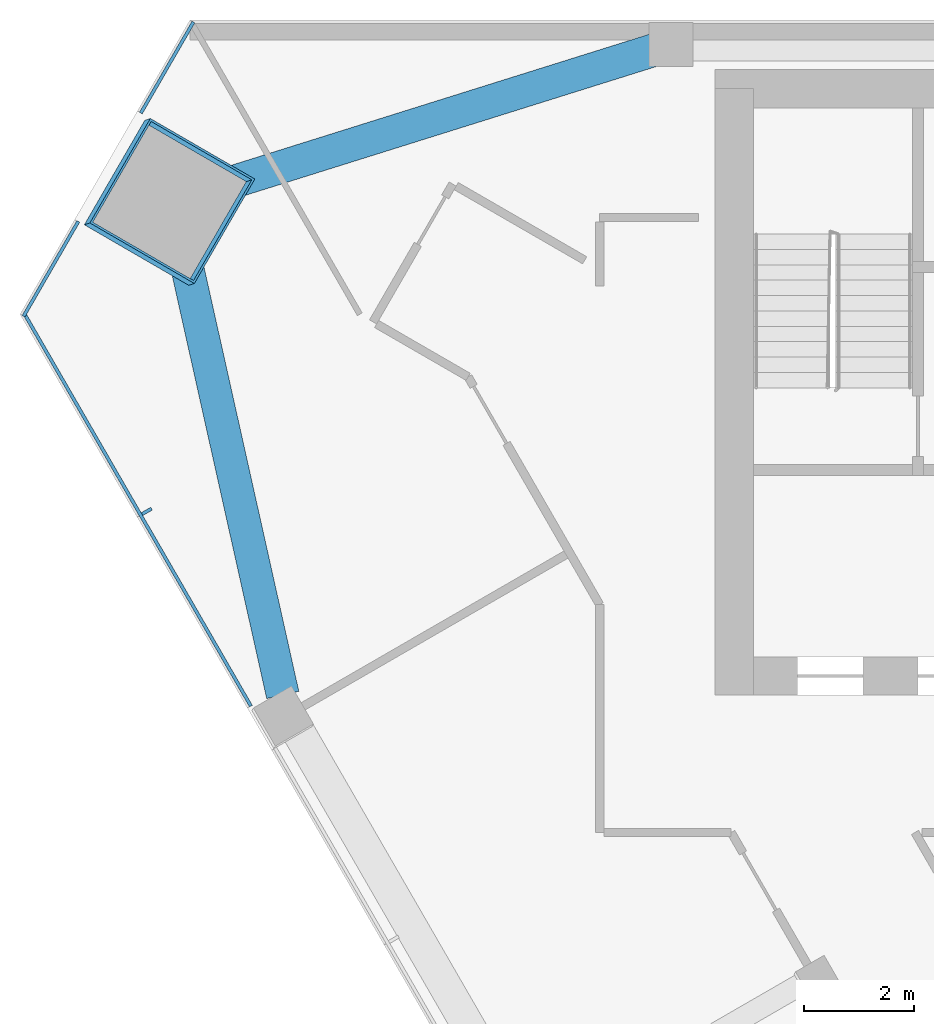
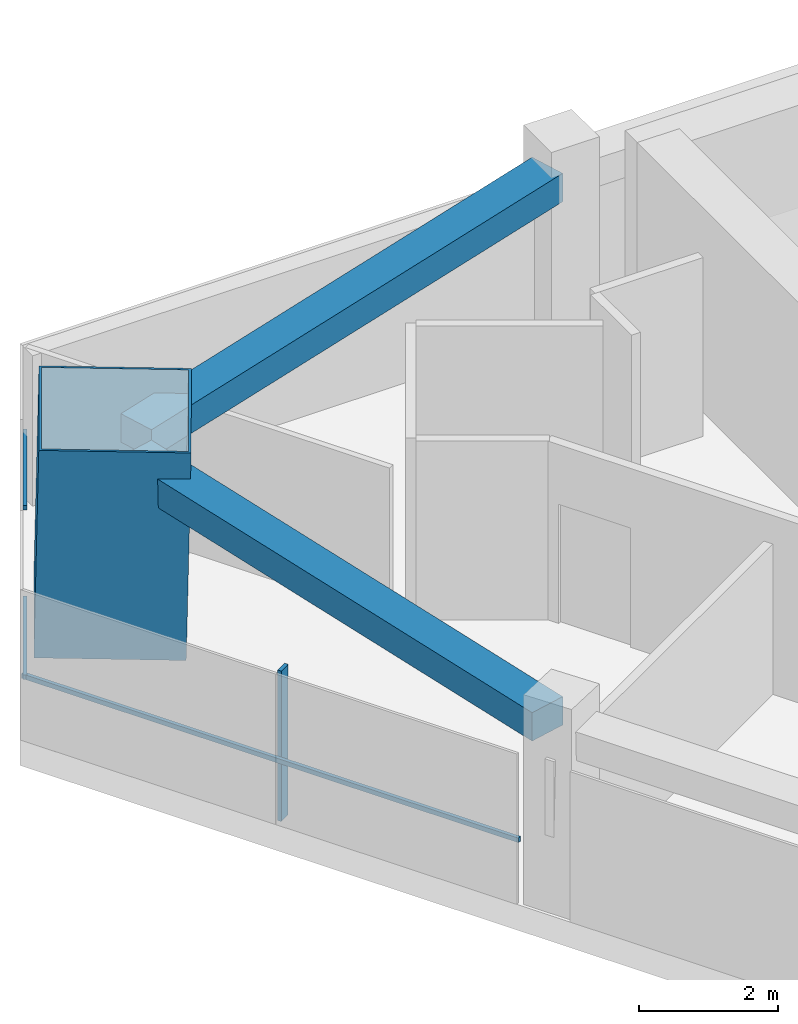
# One storey, part 5 of 12: 5 members, 2 beams, 2 elements without a shape of their own.
"""IFC4 building model written with IfcOpenShell, lengths in metres."""

from ifc_helpers import new_model, si_unit, direction, frame, origin, origin_2d, place, context, subcontext, project, spatial, rectangle, hollow_rectangle, extrude, material, layer, layer_set, material_profile, profile_set, type_object, element, aggregate, save


model = new_model("IFC4")

# Units and contexts
model_context = context("Model", 3, precision=1e-05, world=origin(), true_north=direction((0.0, 1.0)))
body_context = subcontext(model_context, "Body", "Model", "MODEL_VIEW")
ifc_project = project(units=[si_unit("LENGTHUNIT", "METRE"), si_unit("AREAUNIT", "SQUARE_METRE"), si_unit("VOLUMEUNIT", "CUBIC_METRE"), si_unit("PLANEANGLEUNIT", "RADIAN"), si_unit("MASSUNIT", "GRAM", prefix="KILO")], contexts=[model_context])

# Site, building, storey
site_placement = place(None, origin())
site = spatial("IfcSite", under=ifc_project, at=site_placement, CompositionType="ELEMENT")
building_placement = place(site_placement, origin())
building = spatial("IfcBuilding", under=site, at=building_placement, Name="Altiplano Prism Tower", CompositionType="ELEMENT")
storey_placement = place(building_placement, frame((0.0, 0.0, 205.199951171875)))
storey = spatial("IfcBuildingStorey", under=building, at=storey_placement, Name="L53", CompositionType="ELEMENT", Elevation=205.199951171875)

# Curtain wall, member
ifc_material_1 = material(Name="Aluminium and glass", Category="aluminium")
ifc_layer = layer(ifc_material_1, 0.303955078125)
ifc_layer_set = layer_set([ifc_layer], Name="Aluminium and glass")
curtain_wall_type = type_object("IfcCurtainWallType", Name="CW2 lounge-band unitised glazing", PredefinedType="NOTDEFINED", material=ifc_layer_set)
curtain_wall_1_placement = place(storey_placement, origin())
curtain_wall_1 = element("IfcCurtainWall", 1, at=curtain_wall_1_placement, inside=storey, type_object=curtain_wall_type, Name="CW2 curtain wall south-west face L53", PredefinedType="NOTDEFINED")
ifc_material_2 = material(Name="Aluminium", Category="aluminium")
ifc_material_profile_1 = material_profile(ifc_material_2, rectangle(XDim=0.199951171875, YDim=0.06005859375, at=origin_2d()), Name="CW2 mullion 60 x 200")
ifc_profile_set_1 = profile_set([ifc_material_profile_1], Name="Aluminium")
member_type_1 = type_object("IfcMemberType", Name="CW2 mullion 60 x 200", PredefinedType="MULLION", material=ifc_profile_set_1)
member_1_placement = place(storey_placement, frame((61.94970703125, 96.048583984375, 0.0), z_axis=(0.0, 0.0, 1.0), x_axis=(0.866025406943, 0.499999994528, 0.0)))
member_1 = element("IfcMember", 2, at=member_1_placement, type_object=member_type_1, Name="CW2 mullion", PredefinedType="MULLION", context=body_context, shape_type="SweptSolid", body=[
    extrude(rectangle(XDim=0.199951171875, YDim=0.06005859375, at=origin_2d()), origin(), (0.0, 0.0, 1.0), 2.650146484375),
])

# Curtain wall, members
curtain_wall_2_placement = place(storey_placement, origin())
curtain_wall_2 = element("IfcCurtainWall", 3, at=curtain_wall_2_placement, inside=storey, type_object=curtain_wall_type, Name="CW2 curtain wall north-west chamfer L53", PredefinedType="NOTDEFINED")
ifc_material_profile_2 = material_profile(ifc_material_2, rectangle(XDim=0.06005859375, YDim=0.080078125, at=origin_2d()), Name="CW2 transom 80 x 60")
ifc_profile_set_2 = profile_set([ifc_material_profile_2], Name="Aluminium")
member_type_2 = type_object("IfcMemberType", Name="CW2 transom 80 x 60", PredefinedType="USERDEFINED", material=ifc_profile_set_2)
member_2_placement = place(storey_placement, frame((62.800048828125, 104.962890625, 1.10009765625), z_axis=(-0.500005700723, -0.866022112445, 0.0), x_axis=(0.866022112445, -0.500005700723, 0.0)))
member_2 = element("IfcMember", 4, at=member_2_placement, type_object=member_type_2, Name="CW2 transom", ObjectType="TRANSOM", PredefinedType="USERDEFINED", context=body_context, shape_type="SweptSolid", body=[
    extrude(rectangle(XDim=0.06005859375, YDim=0.080078125, at=origin_2d()), origin(), (0.0, 0.0, 1.0), 1.9150390625),
])
member_3_placement = place(storey_placement, frame((60.702392578125, 101.330078125, 1.10009765625), z_axis=(-0.499916671148, -0.866073508375, 0.0), x_axis=(0.866073508375, -0.499916671148, 0.0)))
member_3 = element("IfcMember", 5, at=member_3_placement, type_object=member_type_2, Name="CW2 transom", ObjectType="TRANSOM", PredefinedType="USERDEFINED", context=body_context, shape_type="SweptSolid", body=[
    extrude(rectangle(XDim=0.06005859375, YDim=0.080078125, at=origin_2d()), origin(), (0.0, 0.0, 1.0), 1.994873046875),
])
aggregate(curtain_wall_2, [member_2, member_3])

# Member
member_4_placement = place(storey_placement, frame((59.705078125, 99.67626953125, 1.10009765625), z_axis=(0.49998690732, -0.866032962715, 0.0), x_axis=(0.866032962715, 0.49998690732, 0.0)))
member_4 = element("IfcMember", 6, at=member_4_placement, type_object=member_type_2, Name="CW2 transom", ObjectType="TRANSOM", PredefinedType="USERDEFINED", context=body_context, shape_type="SweptSolid", body=[
    extrude(rectangle(XDim=0.06005859375, YDim=0.080078125, at=origin_2d()), origin(), (0.0, 0.0, 1.0), 8.284423828125),
])

aggregate(curtain_wall_1, [member_1, member_4])

# Beams
ifc_material_3 = material(Name="Concrete C60/75", Category="concrete")
ifc_material_profile_3 = material_profile(ifc_material_3, rectangle(XDim=0.60009765625, YDim=0.5, at=origin_2d()), Name="Edge beam 600x500")
ifc_profile_set_3 = profile_set([ifc_material_profile_3], Name="Concrete C60/75")
beam_type = type_object("IfcBeamType", Name="Edge beam 600x500", PredefinedType="SPANDREL", material=ifc_profile_set_3)
beam_1_placement = place(storey_placement, frame((71.214599609375, 104.46044921875, 2.900146484375), z_axis=(-0.95423297274, -0.299064263555, 0.0), x_axis=(0.299064263555, -0.95423297274, 0.0)))
element("IfcBeam", 7, at=beam_1_placement, inside=storey, type_object=beam_type, Name="Edge beam P04-M0 L54", PredefinedType="SPANDREL", context=body_context, shape_type="SweptSolid", body=[
    extrude(rectangle(XDim=0.60009765625, YDim=0.5, at=origin_2d()), origin(), (0.0, 0.0, 1.0), 8.77001953125),
])
beam_2_placement = place(storey_placement, frame((62.5146484375, 101.263916015625, 2.900146484375), z_axis=(0.218106350401, -0.975925007321, 0.0), x_axis=(0.975925007321, 0.218106350401, 0.0)))
element("IfcBeam", 8, at=beam_2_placement, inside=storey, type_object=beam_type, Name="Edge beam M0-P11 L54", PredefinedType="SPANDREL", context=body_context, shape_type="SweptSolid", body=[
    extrude(rectangle(XDim=0.60009765625, YDim=0.5, at=origin_2d()), origin(), (0.0, 0.0, 1.0), 8.770263671875),
])

# Member
ifc_material_4 = material(Name="Steel S460", Category="steel")
ifc_material_profile_4 = material_profile(ifc_material_4, hollow_rectangle(XDim=2.199951171875, YDim=2.199951171875, WallThickness=0.0400390625, at=origin_2d()), Name="Mega column tube 2200")
ifc_profile_set_4 = profile_set([ifc_material_profile_4], Name="Steel S460")
member_type_3 = type_object("IfcMemberType", Name="Mega column tube 2200", PredefinedType="POST", material=ifc_profile_set_4)
member_5_placement = place(storey_placement, frame((62.314208984375, 101.669677734375, 0.0), z_axis=(0.028401814599, 0.009218727412, 0.999554076572), x_axis=(-0.865120088362, 0.501167477907, 0.019959754512)))
element("IfcMember", 9, at=member_5_placement, inside=storey, type_object=member_type_3, Name="Mega column tube M0 L53", PredefinedType="POST", context=body_context, shape_type="SweptSolid", body=[
    extrude(hollow_rectangle(XDim=2.199951171875, YDim=2.199951171875, WallThickness=0.0400390625, at=origin_2d()), origin(), (0.0, 0.0, 1.0), 3.601806640625),
])

save(model, "model.ifc")
